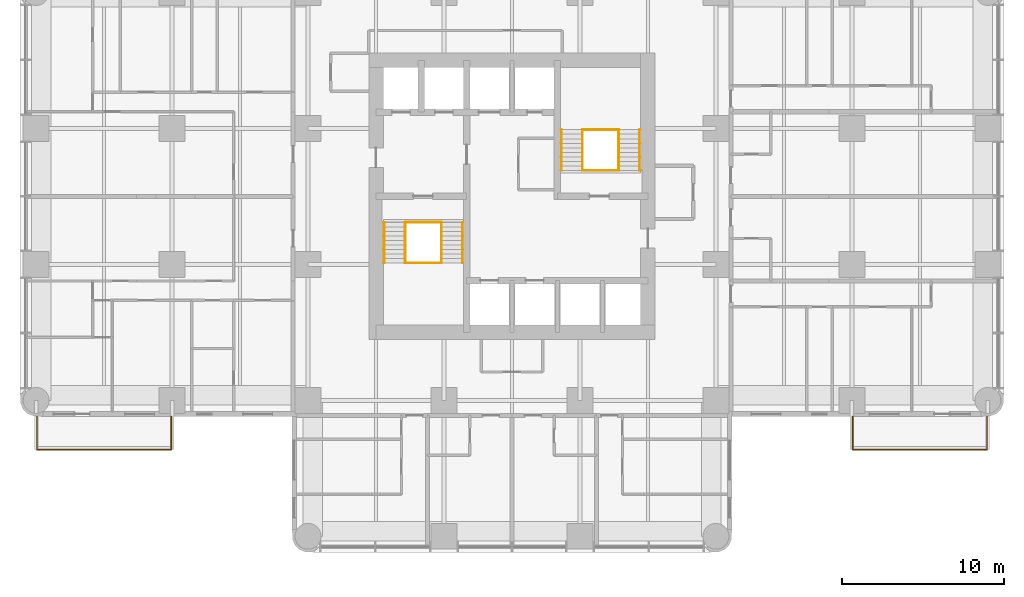
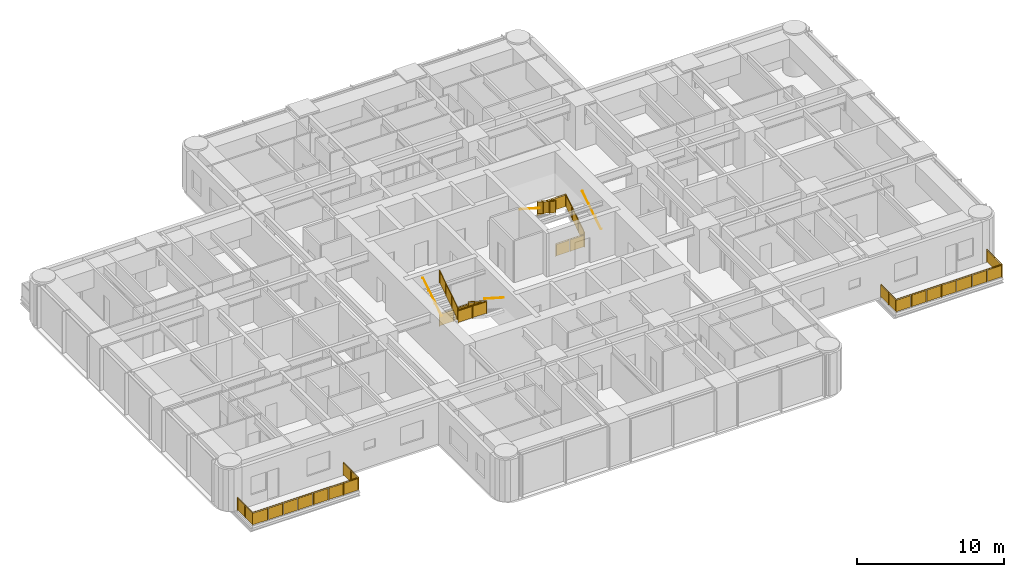
# One storey, part 13 of 14: 14 railings.
"""IFC4 building model written with IfcOpenShell, lengths in metres."""

from ifc_helpers import new_model, si_unit, direction, frame, origin, origin_2d, place, context, subcontext, project, spatial, polyline, circle, outline, extrude, material, constituent, constituent_set, type_object, element, save


model = new_model("IFC4")

# Units and contexts
model_context = context("Model", 3, precision=1e-05, world=origin(), true_north=direction((0.0, 1.0)))
body_context = subcontext(model_context, "Body", "Model", "MODEL_VIEW")
ifc_project = project(units=[si_unit("LENGTHUNIT", "METRE"), si_unit("AREAUNIT", "SQUARE_METRE"), si_unit("VOLUMEUNIT", "CUBIC_METRE"), si_unit("PLANEANGLEUNIT", "RADIAN"), si_unit("MASSUNIT", "GRAM", prefix="KILO")], contexts=[model_context])

# Site, building, storey
site_placement = place(None, origin())
site = spatial("IfcSite", under=ifc_project, at=site_placement, CompositionType="ELEMENT")
building_placement = place(site_placement, origin())
building = spatial("IfcBuilding", under=site, at=building_placement, Name="Torre Alcanfor", CompositionType="ELEMENT")
storey_placement = place(building_placement, frame((0.0, 0.0, 159.300048828125)))
storey = spatial("IfcBuildingStorey", under=building, at=storey_placement, Name="L41", CompositionType="ELEMENT", Elevation=159.300048828125)

# Railings
ifc_material_1 = material(Name="Laminated safety glass", Category="glass")
ifc_constituent_1 = constituent(ifc_material_1, Name="Infill")
ifc_material_2 = material(Name="Stainless steel ASTM A554 Grade MT 316L tube", Category="steel")
ifc_constituent_2 = constituent(ifc_material_2, Name="Posts and rail")
ifc_constituent_set = constituent_set(constituents=[ifc_constituent_1, ifc_constituent_2], Name="Balcony guard glass 1100")
railing_type_1 = type_object("IfcRailingType", Name="Balcony guard glass 1100", PredefinedType="BALUSTRADE", material=ifc_constituent_set)
railing_1_placement = place(storey_placement, frame((50.449951171875, 15.800048828125, 0.0)))
element("IfcRailing", 1, at=railing_1_placement, inside=storey, type_object=railing_type_1, Name="Balcony guard L41-E2", PredefinedType="BALUSTRADE", context=body_context, shape_type="SweptSolid", body=[
    extrude(circle(Radius=0.02392578125, at=origin_2d()), frame((0.0, 0.0, 1.076171875), z_axis=(0.0, -1.0, 0.0), x_axis=(1.0, 0.0, 0.0)), (0.0, 0.0, 1.0), 2.050048828125),
    extrude(circle(Radius=0.02392578125, at=origin_2d()), frame((0.0, -2.050048828125, 1.076171875), z_axis=(1.0, 0.0, 0.0), x_axis=(0.0, 1.0, 0.0)), (0.0, 0.0, 1.0), 8.300048828125),
    extrude(circle(Radius=0.02392578125, at=origin_2d()), frame((8.300048828125, -2.050048828125, 1.076171875), z_axis=(0.0, 1.0, 0.0), x_axis=(-1.0, 0.0, 0.0)), (0.0, 0.0, 1.0), 2.050048828125),
    extrude(circle(Radius=0.02099609375, at=origin_2d()), origin(), (0.0, 0.0, 1.0), 1.052001953125),
    extrude(circle(Radius=0.02099609375, at=origin_2d()), frame((0.0, -1.02490234375, 0.0)), (0.0, 0.0, 1.0), 1.052001953125),
    extrude(circle(Radius=0.02099609375, at=origin_2d()), frame((0.0, -2.050048828125, 0.0)), (0.0, 0.0, 1.0), 1.052001953125),
    extrude(circle(Radius=0.02099609375, at=origin_2d()), frame((1.185791015625, -2.050048828125, 0.0)), (0.0, 0.0, 1.0), 1.052001953125),
    extrude(circle(Radius=0.02099609375, at=origin_2d()), frame((2.371337890625, -2.050048828125, 0.0)), (0.0, 0.0, 1.0), 1.052001953125),
    extrude(circle(Radius=0.02099609375, at=origin_2d()), frame((3.55712890625, -2.050048828125, 0.0)), (0.0, 0.0, 1.0), 1.052001953125),
    extrude(circle(Radius=0.02099609375, at=origin_2d()), frame((4.742919921875, -2.050048828125, 0.0)), (0.0, 0.0, 1.0), 1.052001953125),
    extrude(circle(Radius=0.02099609375, at=origin_2d()), frame((5.9287109375, -2.050048828125, 0.0)), (0.0, 0.0, 1.0), 1.052001953125),
    extrude(circle(Radius=0.02099609375, at=origin_2d()), frame((7.1142578125, -2.050048828125, 0.0)), (0.0, 0.0, 1.0), 1.052001953125),
    extrude(circle(Radius=0.02099609375, at=origin_2d()), frame((8.300048828125, -2.050048828125, 0.0)), (0.0, 0.0, 1.0), 1.052001953125),
    extrude(circle(Radius=0.02099609375, at=origin_2d()), frame((8.300048828125, -1.02490234375, 0.0)), (0.0, 0.0, 1.0), 1.052001953125),
    extrude(circle(Radius=0.02099609375, at=origin_2d()), frame((8.300048828125, 0.0, 0.0)), (0.0, 0.0, 1.0), 1.052001953125),
    extrude(outline(polyline([(0.041015625, 0.050048828125), (0.984130859375, 0.050048828125), (0.984130859375, 1.001953125), (0.041015625, 1.001953125), (0.041015625, 0.050048828125)])), frame((0.005859375, 0.0, 0.0), z_axis=(-1.0, 0.0, 0.0), x_axis=(0.0, -1.0, 0.0)), (0.0, 0.0, 1.0), 0.011962890625),
    extrude(outline(polyline([(1.06591796875, 0.050048828125), (2.009033203125, 0.050048828125), (2.009033203125, 1.001953125), (1.06591796875, 1.001953125), (1.06591796875, 0.050048828125)])), frame((0.005859375, 0.0, 0.0), z_axis=(-1.0, 0.0, 0.0), x_axis=(0.0, -1.0, 0.0)), (0.0, 0.0, 1.0), 0.011962890625),
    extrude(outline(polyline([(0.041015625, 0.050048828125), (1.144775390625, 0.050048828125), (1.144775390625, 1.001953125), (0.041015625, 1.001953125), (0.041015625, 0.050048828125)])), frame((0.0, -2.0439453125, 0.0), z_axis=(0.0, -1.0, 0.0), x_axis=(1.0, 0.0, 0.0)), (0.0, 0.0, 1.0), 0.011962890625),
    extrude(outline(polyline([(1.226806640625, 0.050048828125), (2.330322265625, 0.050048828125), (2.330322265625, 1.001953125), (1.226806640625, 1.001953125), (1.226806640625, 0.050048828125)])), frame((0.0, -2.0439453125, 0.0), z_axis=(0.0, -1.0, 0.0), x_axis=(1.0, 0.0, 0.0)), (0.0, 0.0, 1.0), 0.011962890625),
    extrude(outline(polyline([(2.412353515625, 0.050048828125), (3.51611328125, 0.050048828125), (3.51611328125, 1.001953125), (2.412353515625, 1.001953125), (2.412353515625, 0.050048828125)])), frame((0.0, -2.0439453125, 0.0), z_axis=(0.0, -1.0, 0.0), x_axis=(1.0, 0.0, 0.0)), (0.0, 0.0, 1.0), 0.011962890625),
    extrude(outline(polyline([(3.59814453125, 0.050048828125), (4.701904296875, 0.050048828125), (4.701904296875, 1.001953125), (3.59814453125, 1.001953125), (3.59814453125, 0.050048828125)])), frame((0.0, -2.0439453125, 0.0), z_axis=(0.0, -1.0, 0.0), x_axis=(1.0, 0.0, 0.0)), (0.0, 0.0, 1.0), 0.011962890625),
    extrude(outline(polyline([(4.783935546875, 0.050048828125), (5.8876953125, 0.050048828125), (5.8876953125, 1.001953125), (4.783935546875, 1.001953125), (4.783935546875, 0.050048828125)])), frame((0.0, -2.0439453125, 0.0), z_axis=(0.0, -1.0, 0.0), x_axis=(1.0, 0.0, 0.0)), (0.0, 0.0, 1.0), 0.011962890625),
    extrude(outline(polyline([(5.9697265625, 0.050048828125), (7.0732421875, 0.050048828125), (7.0732421875, 1.001953125), (5.9697265625, 1.001953125), (5.9697265625, 0.050048828125)])), frame((0.0, -2.0439453125, 0.0), z_axis=(0.0, -1.0, 0.0), x_axis=(1.0, 0.0, 0.0)), (0.0, 0.0, 1.0), 0.011962890625),
    extrude(outline(polyline([(7.1552734375, 0.050048828125), (8.259033203125, 0.050048828125), (8.259033203125, 1.001953125), (7.1552734375, 1.001953125), (7.1552734375, 0.050048828125)])), frame((0.0, -2.0439453125, 0.0), z_axis=(0.0, -1.0, 0.0), x_axis=(1.0, 0.0, 0.0)), (0.0, 0.0, 1.0), 0.011962890625),
    extrude(outline(polyline([(0.041015625, 0.050048828125), (0.984130859375, 0.050048828125), (0.984130859375, 1.001953125), (0.041015625, 1.001953125), (0.041015625, 0.050048828125)])), frame((8.2939453125, -2.050048828125, 0.0), z_axis=(1.0, 0.0, 0.0), x_axis=(0.0, 1.0, 0.0)), (0.0, 0.0, 1.0), 0.011962890625),
    extrude(outline(polyline([(1.06591796875, 0.050048828125), (2.009033203125, 0.050048828125), (2.009033203125, 1.001953125), (1.06591796875, 1.001953125), (1.06591796875, 0.050048828125)])), frame((8.2939453125, -2.050048828125, 0.0), z_axis=(1.0, 0.0, 0.0), x_axis=(0.0, 1.0, 0.0)), (0.0, 0.0, 1.0), 0.011962890625),
])
railing_2_placement = place(storey_placement, frame((8.35009765625, 15.800048828125, 0.0)))
element("IfcRailing", 2, at=railing_2_placement, inside=storey, type_object=railing_type_1, Name="Balcony guard L41-W1", PredefinedType="BALUSTRADE", context=body_context, shape_type="SweptSolid", body=[
    extrude(circle(Radius=0.02392578125, at=origin_2d()), frame((0.0, 0.0, 1.076171875), z_axis=(0.0, -1.0, 0.0), x_axis=(1.0, 0.0, 0.0)), (0.0, 0.0, 1.0), 2.050048828125),
    extrude(circle(Radius=0.02392578125, at=origin_2d()), frame((0.0, -2.050048828125, 1.076171875), z_axis=(-1.0, 0.0, 0.0), x_axis=(0.0, -1.0, 0.0)), (0.0, 0.0, 1.0), 8.300048828125),
    extrude(circle(Radius=0.02392578125, at=origin_2d()), frame((-8.300048828125, -2.050048828125, 1.076171875), z_axis=(0.0, 1.0, 0.0), x_axis=(-1.0, 0.0, 0.0)), (0.0, 0.0, 1.0), 2.050048828125),
    extrude(circle(Radius=0.02099609375, at=origin_2d()), origin(), (0.0, 0.0, 1.0), 1.052001953125),
    extrude(circle(Radius=0.02099609375, at=origin_2d()), frame((0.0, -1.02490234375, 0.0)), (0.0, 0.0, 1.0), 1.052001953125),
    extrude(circle(Radius=0.02099609375, at=origin_2d()), frame((0.0, -2.050048828125, 0.0)), (0.0, 0.0, 1.0), 1.052001953125),
    extrude(circle(Radius=0.02099609375, at=origin_2d()), frame((-1.185791015625, -2.050048828125, 0.0)), (0.0, 0.0, 1.0), 1.052001953125),
    extrude(circle(Radius=0.02099609375, at=origin_2d()), frame((-2.371337890625, -2.050048828125, 0.0)), (0.0, 0.0, 1.0), 1.052001953125),
    extrude(circle(Radius=0.02099609375, at=origin_2d()), frame((-3.55712890625, -2.050048828125, 0.0)), (0.0, 0.0, 1.0), 1.052001953125),
    extrude(circle(Radius=0.02099609375, at=origin_2d()), frame((-4.742919921875, -2.050048828125, 0.0)), (0.0, 0.0, 1.0), 1.052001953125),
    extrude(circle(Radius=0.02099609375, at=origin_2d()), frame((-5.9287109375, -2.050048828125, 0.0)), (0.0, 0.0, 1.0), 1.052001953125),
    extrude(circle(Radius=0.02099609375, at=origin_2d()), frame((-7.1142578125, -2.050048828125, 0.0)), (0.0, 0.0, 1.0), 1.052001953125),
    extrude(circle(Radius=0.02099609375, at=origin_2d()), frame((-8.300048828125, -2.050048828125, 0.0)), (0.0, 0.0, 1.0), 1.052001953125),
    extrude(circle(Radius=0.02099609375, at=origin_2d()), frame((-8.300048828125, -1.02490234375, 0.0)), (0.0, 0.0, 1.0), 1.052001953125),
    extrude(circle(Radius=0.02099609375, at=origin_2d()), frame((-8.300048828125, 0.0, 0.0)), (0.0, 0.0, 1.0), 1.052001953125),
    extrude(outline(polyline([(0.041015625, 0.050048828125), (0.984130859375, 0.050048828125), (0.984130859375, 1.001953125), (0.041015625, 1.001953125), (0.041015625, 0.050048828125)])), frame((0.005859375, 0.0, 0.0), z_axis=(-1.0, 0.0, 0.0), x_axis=(0.0, -1.0, 0.0)), (0.0, 0.0, 1.0), 0.011962890625),
    extrude(outline(polyline([(1.06591796875, 0.050048828125), (2.009033203125, 0.050048828125), (2.009033203125, 1.001953125), (1.06591796875, 1.001953125), (1.06591796875, 0.050048828125)])), frame((0.005859375, 0.0, 0.0), z_axis=(-1.0, 0.0, 0.0), x_axis=(0.0, -1.0, 0.0)), (0.0, 0.0, 1.0), 0.011962890625),
    extrude(outline(polyline([(0.041015625, 0.050048828125), (1.144775390625, 0.050048828125), (1.144775390625, 1.001953125), (0.041015625, 1.001953125), (0.041015625, 0.050048828125)])), frame((0.0, -2.05615234375, 0.0), z_axis=(0.0, 1.0, 0.0), x_axis=(-1.0, 0.0, 0.0)), (0.0, 0.0, 1.0), 0.011962890625),
    extrude(outline(polyline([(1.226806640625, 0.050048828125), (2.330322265625, 0.050048828125), (2.330322265625, 1.001953125), (1.226806640625, 1.001953125), (1.226806640625, 0.050048828125)])), frame((0.0, -2.05615234375, 0.0), z_axis=(0.0, 1.0, 0.0), x_axis=(-1.0, 0.0, 0.0)), (0.0, 0.0, 1.0), 0.011962890625),
    extrude(outline(polyline([(2.412353515625, 0.050048828125), (3.51611328125, 0.050048828125), (3.51611328125, 1.001953125), (2.412353515625, 1.001953125), (2.412353515625, 0.050048828125)])), frame((0.0, -2.05615234375, 0.0), z_axis=(0.0, 1.0, 0.0), x_axis=(-1.0, 0.0, 0.0)), (0.0, 0.0, 1.0), 0.011962890625),
    extrude(outline(polyline([(3.59814453125, 0.050048828125), (4.701904296875, 0.050048828125), (4.701904296875, 1.001953125), (3.59814453125, 1.001953125), (3.59814453125, 0.050048828125)])), frame((0.0, -2.05615234375, 0.0), z_axis=(0.0, 1.0, 0.0), x_axis=(-1.0, 0.0, 0.0)), (0.0, 0.0, 1.0), 0.011962890625),
    extrude(outline(polyline([(4.783935546875, 0.050048828125), (5.8876953125, 0.050048828125), (5.8876953125, 1.001953125), (4.783935546875, 1.001953125), (4.783935546875, 0.050048828125)])), frame((0.0, -2.05615234375, 0.0), z_axis=(0.0, 1.0, 0.0), x_axis=(-1.0, 0.0, 0.0)), (0.0, 0.0, 1.0), 0.011962890625),
    extrude(outline(polyline([(5.9697265625, 0.050048828125), (7.0732421875, 0.050048828125), (7.0732421875, 1.001953125), (5.9697265625, 1.001953125), (5.9697265625, 0.050048828125)])), frame((0.0, -2.05615234375, 0.0), z_axis=(0.0, 1.0, 0.0), x_axis=(-1.0, 0.0, 0.0)), (0.0, 0.0, 1.0), 0.011962890625),
    extrude(outline(polyline([(7.1552734375, 0.050048828125), (8.259033203125, 0.050048828125), (8.259033203125, 1.001953125), (7.1552734375, 1.001953125), (7.1552734375, 0.050048828125)])), frame((0.0, -2.05615234375, 0.0), z_axis=(0.0, 1.0, 0.0), x_axis=(-1.0, 0.0, 0.0)), (0.0, 0.0, 1.0), 0.011962890625),
    extrude(outline(polyline([(0.041015625, 0.050048828125), (0.984130859375, 0.050048828125), (0.984130859375, 1.001953125), (0.041015625, 1.001953125), (0.041015625, 0.050048828125)])), frame((-8.30615234375, -2.050048828125, 0.0), z_axis=(1.0, 0.0, 0.0), x_axis=(0.0, 1.0, 0.0)), (0.0, 0.0, 1.0), 0.011962890625),
    extrude(outline(polyline([(1.06591796875, 0.050048828125), (2.009033203125, 0.050048828125), (2.009033203125, 1.001953125), (1.06591796875, 1.001953125), (1.06591796875, 0.050048828125)])), frame((-8.30615234375, -2.050048828125, 0.0), z_axis=(1.0, 0.0, 0.0), x_axis=(0.0, 1.0, 0.0)), (0.0, 0.0, 1.0), 0.011962890625),
])
ifc_material_3 = material(Name="Steel ASTM A500 Grade C hollow sections", Category="steel")
railing_type_2 = type_object("IfcRailingType", Name="Stair guard and handrail 1100", PredefinedType="GUARDRAIL", material=ifc_material_3)
railing_3_placement = place(storey_placement, frame((25.050048828125, 27.800048828125, 0.179931640625)))
element("IfcRailing", 3, at=railing_3_placement, inside=storey, type_object=railing_type_2, Name="Stair guard S1 L41 flight 1", PredefinedType="GUARDRAIL", context=body_context, shape_type="SweptSolid", body=[
    extrude(circle(Radius=0.02392578125, at=origin_2d()), frame((0.0, 0.0, 1.076171875), z_axis=(0.0, -0.841162588446, 0.540782303519), x_axis=(1.0, 0.0, 0.0)), (0.0, 0.0, 1.0), 2.995849609375),
    extrude(circle(Radius=0.02099609375, at=origin_2d()), origin(), (0.0, 0.0, 1.0), 1.052001953125),
    extrude(circle(Radius=0.02099609375, at=origin_2d()), frame((0.0, -0.840087890625, 0.5400390625)), (0.0, 0.0, 1.0), 1.052001953125),
    extrude(circle(Radius=0.02099609375, at=origin_2d()), frame((0.0, -1.679931640625, 1.080078125)), (0.0, 0.0, 1.0), 1.052001953125),
    extrude(circle(Radius=0.02099609375, at=origin_2d()), frame((0.0, -2.52001953125, 1.6201171875)), (0.0, 0.0, 1.0), 1.052001953125),
    extrude(outline(polyline([(0.041015625, 0.076416015625), (0.799072265625, 0.563720703125), (0.799072265625, 1.515625), (0.041015625, 1.0283203125), (0.041015625, 0.076416015625)])), frame((0.005859375, 0.0, 0.0), z_axis=(-1.0, 0.0, 0.0), x_axis=(0.0, -1.0, 0.0)), (0.0, 0.0, 1.0), 0.011962890625),
    extrude(outline(polyline([(0.881103515625, 0.616455078125), (1.638916015625, 1.103759765625), (1.638916015625, 2.0556640625), (0.881103515625, 1.568359375), (0.881103515625, 0.616455078125)])), frame((0.005859375, 0.0, 0.0), z_axis=(-1.0, 0.0, 0.0), x_axis=(0.0, -1.0, 0.0)), (0.0, 0.0, 1.0), 0.011962890625),
    extrude(outline(polyline([(1.720947265625, 1.156494140625), (2.47900390625, 1.643798828125), (2.47900390625, 2.595703125), (1.720947265625, 2.1083984375), (1.720947265625, 1.156494140625)])), frame((0.005859375, 0.0, 0.0), z_axis=(-1.0, 0.0, 0.0), x_axis=(0.0, -1.0, 0.0)), (0.0, 0.0, 1.0), 0.011962890625),
])
railing_4_placement = place(storey_placement, frame((22.800048828125, 25.280029296875, 1.97998046875)))
element("IfcRailing", 4, at=railing_4_placement, inside=storey, type_object=railing_type_2, Name="Stair guard S1 L41 flight 2", PredefinedType="GUARDRAIL", context=body_context, shape_type="SweptSolid", body=[
    extrude(circle(Radius=0.02392578125, at=origin_2d()), frame((0.0, 0.0, 1.076171875), z_axis=(0.0, 0.841199657755, 0.540724639528), x_axis=(-1.0, 0.0, 0.0)), (0.0, 0.0, 1.0), 2.995849609375),
    extrude(circle(Radius=0.02099609375, at=origin_2d()), origin(), (0.0, 0.0, 1.0), 1.052001953125),
    extrude(circle(Radius=0.02099609375, at=origin_2d()), frame((0.0, 0.840087890625, 0.5400390625)), (0.0, 0.0, 1.0), 1.052001953125),
    extrude(circle(Radius=0.02099609375, at=origin_2d()), frame((0.0, 1.679931640625, 1.079833984375)), (0.0, 0.0, 1.0), 1.052001953125),
    extrude(circle(Radius=0.02099609375, at=origin_2d()), frame((0.0, 2.52001953125, 1.619873046875)), (0.0, 0.0, 1.0), 1.052001953125),
    extrude(outline(polyline([(0.041015625, 0.076416015625), (0.799072265625, 0.563720703125), (0.799072265625, 1.515625), (0.041015625, 1.0283203125), (0.041015625, 0.076416015625)])), frame((-0.005859375, 0.0, 0.0), z_axis=(1.0, 0.0, 0.0), x_axis=(0.0, 1.0, 0.0)), (0.0, 0.0, 1.0), 0.011962890625),
    extrude(outline(polyline([(0.881103515625, 0.6162109375), (1.638916015625, 1.103515625), (1.638916015625, 2.0556640625), (0.881103515625, 1.568359375), (0.881103515625, 0.6162109375)])), frame((-0.005859375, 0.0, 0.0), z_axis=(1.0, 0.0, 0.0), x_axis=(0.0, 1.0, 0.0)), (0.0, 0.0, 1.0), 0.011962890625),
    extrude(outline(polyline([(1.720947265625, 1.15625), (2.47900390625, 1.6435546875), (2.47900390625, 2.595458984375), (1.720947265625, 2.108154296875), (1.720947265625, 1.15625)])), frame((-0.005859375, 0.0, 0.0), z_axis=(1.0, 0.0, 0.0), x_axis=(0.0, 1.0, 0.0)), (0.0, 0.0, 1.0), 0.011962890625),
])
for number, where, name in (
    (5, (22.800048828125, 27.800048828125, 0.0), "Stair well guard S1 L41 floor landing"),
    (6, (22.800048828125, 25.280029296875, 1.800048828125), "Stair well guard S1 L41 half landing"),
):
    element("IfcRailing", number, at=place(storey_placement, frame(where)), inside=storey, type_object=railing_type_2, Name=name, PredefinedType="GUARDRAIL", context=body_context, shape_type="SweptSolid", body=[
        extrude(circle(Radius=0.02392578125, at=origin_2d()), frame((0.0, 0.0, 1.076171875), z_axis=(1.0, 0.0, 0.0), x_axis=(0.0, 1.0, 0.0)), (0.0, 0.0, 1.0), 2.25),
        extrude(circle(Radius=0.02099609375, at=origin_2d()), origin(), (0.0, 0.0, 1.0), 1.052001953125),
        extrude(circle(Radius=0.02099609375, at=origin_2d()), frame((1.125, 0.0, 0.0)), (0.0, 0.0, 1.0), 1.052001953125),
        extrude(circle(Radius=0.02099609375, at=origin_2d()), frame((2.25, 0.0, 0.0)), (0.0, 0.0, 1.0), 1.052001953125),
        extrude(outline(polyline([(0.041015625, 0.050048828125), (1.083984375, 0.050048828125), (1.083984375, 1.001953125), (0.041015625, 1.001953125), (0.041015625, 0.050048828125)])), frame((0.0, 0.005859375, 0.0), z_axis=(0.0, -1.0, 0.0), x_axis=(1.0, 0.0, 0.0)), (0.0, 0.0, 1.0), 0.011962890625),
        extrude(outline(polyline([(1.166015625, 0.050048828125), (2.208984375, 0.050048828125), (2.208984375, 1.001953125), (1.166015625, 1.001953125), (1.166015625, 0.050048828125)])), frame((0.0, 0.005859375, 0.0), z_axis=(0.0, -1.0, 0.0), x_axis=(1.0, 0.0, 0.0)), (0.0, 0.0, 1.0), 0.011962890625),
    ])
railing_5_placement = place(storey_placement, frame((36.0, 31.0, 0.179931640625)))
element("IfcRailing", 7, at=railing_5_placement, inside=storey, type_object=railing_type_2, Name="Stair guard S2 L41 flight 1", PredefinedType="GUARDRAIL", context=body_context, shape_type="SweptSolid", body=[
    extrude(circle(Radius=0.02392578125, at=origin_2d()), frame((0.0, 0.0, 1.076171875), z_axis=(0.0, 0.841162588446, 0.540782303519), x_axis=(-1.0, 0.0, 0.0)), (0.0, 0.0, 1.0), 2.995849609375),
    extrude(circle(Radius=0.02099609375, at=origin_2d()), origin(), (0.0, 0.0, 1.0), 1.052001953125),
    extrude(circle(Radius=0.02099609375, at=origin_2d()), frame((0.0, 0.840087890625, 0.5400390625)), (0.0, 0.0, 1.0), 1.052001953125),
    extrude(circle(Radius=0.02099609375, at=origin_2d()), frame((0.0, 1.679931640625, 1.080078125)), (0.0, 0.0, 1.0), 1.052001953125),
    extrude(circle(Radius=0.02099609375, at=origin_2d()), frame((0.0, 2.52001953125, 1.6201171875)), (0.0, 0.0, 1.0), 1.052001953125),
    extrude(outline(polyline([(0.041015625, 0.076416015625), (0.799072265625, 0.563720703125), (0.799072265625, 1.515625), (0.041015625, 1.0283203125), (0.041015625, 0.076416015625)])), frame((-0.005859375, 0.0, 0.0), z_axis=(1.0, 0.0, 0.0), x_axis=(0.0, 1.0, 0.0)), (0.0, 0.0, 1.0), 0.011962890625),
    extrude(outline(polyline([(0.881103515625, 0.616455078125), (1.638916015625, 1.103759765625), (1.638916015625, 2.0556640625), (0.881103515625, 1.568359375), (0.881103515625, 0.616455078125)])), frame((-0.005859375, 0.0, 0.0), z_axis=(1.0, 0.0, 0.0), x_axis=(0.0, 1.0, 0.0)), (0.0, 0.0, 1.0), 0.011962890625),
    extrude(outline(polyline([(1.720947265625, 1.156494140625), (2.47900390625, 1.643798828125), (2.47900390625, 2.595703125), (1.720947265625, 2.1083984375), (1.720947265625, 1.156494140625)])), frame((-0.005859375, 0.0, 0.0), z_axis=(1.0, 0.0, 0.0), x_axis=(0.0, 1.0, 0.0)), (0.0, 0.0, 1.0), 0.011962890625),
])
railing_6_placement = place(storey_placement, frame((33.75, 33.52001953125, 1.97998046875)))
element("IfcRailing", 8, at=railing_6_placement, inside=storey, type_object=railing_type_2, Name="Stair guard S2 L41 flight 2", PredefinedType="GUARDRAIL", context=body_context, shape_type="SweptSolid", body=[
    extrude(circle(Radius=0.02392578125, at=origin_2d()), frame((0.0, 0.0, 1.076171875), z_axis=(0.0, -0.841199657755, 0.540724639528), x_axis=(1.0, 0.0, 0.0)), (0.0, 0.0, 1.0), 2.995849609375),
    extrude(circle(Radius=0.02099609375, at=origin_2d()), origin(), (0.0, 0.0, 1.0), 1.052001953125),
    extrude(circle(Radius=0.02099609375, at=origin_2d()), frame((0.0, -0.840087890625, 0.5400390625)), (0.0, 0.0, 1.0), 1.052001953125),
    extrude(circle(Radius=0.02099609375, at=origin_2d()), frame((0.0, -1.679931640625, 1.079833984375)), (0.0, 0.0, 1.0), 1.052001953125),
    extrude(circle(Radius=0.02099609375, at=origin_2d()), frame((0.0, -2.52001953125, 1.619873046875)), (0.0, 0.0, 1.0), 1.052001953125),
    extrude(outline(polyline([(0.041015625, 0.076416015625), (0.799072265625, 0.563720703125), (0.799072265625, 1.515625), (0.041015625, 1.0283203125), (0.041015625, 0.076416015625)])), frame((0.005859375, 0.0, 0.0), z_axis=(-1.0, 0.0, 0.0), x_axis=(0.0, -1.0, 0.0)), (0.0, 0.0, 1.0), 0.011962890625),
    extrude(outline(polyline([(0.881103515625, 0.6162109375), (1.638916015625, 1.103515625), (1.638916015625, 2.0556640625), (0.881103515625, 1.568359375), (0.881103515625, 0.6162109375)])), frame((0.005859375, 0.0, 0.0), z_axis=(-1.0, 0.0, 0.0), x_axis=(0.0, -1.0, 0.0)), (0.0, 0.0, 1.0), 0.011962890625),
    extrude(outline(polyline([(1.720947265625, 1.15625), (2.47900390625, 1.6435546875), (2.47900390625, 2.595458984375), (1.720947265625, 2.108154296875), (1.720947265625, 1.15625)])), frame((0.005859375, 0.0, 0.0), z_axis=(-1.0, 0.0, 0.0), x_axis=(0.0, -1.0, 0.0)), (0.0, 0.0, 1.0), 0.011962890625),
])
for number, where, name in (
    (9, (33.75, 31.0, 0.0), "Stair well guard S2 L41 floor landing"),
    (10, (33.75, 33.52001953125, 1.800048828125), "Stair well guard S2 L41 half landing"),
):
    element("IfcRailing", number, at=place(storey_placement, frame(where)), inside=storey, type_object=railing_type_2, Name=name, PredefinedType="GUARDRAIL", context=body_context, shape_type="SweptSolid", body=[
        extrude(circle(Radius=0.02392578125, at=origin_2d()), frame((0.0, 0.0, 1.076171875), z_axis=(1.0, 0.0, 0.0), x_axis=(0.0, 1.0, 0.0)), (0.0, 0.0, 1.0), 2.25),
        extrude(circle(Radius=0.02099609375, at=origin_2d()), origin(), (0.0, 0.0, 1.0), 1.052001953125),
        extrude(circle(Radius=0.02099609375, at=origin_2d()), frame((1.125, 0.0, 0.0)), (0.0, 0.0, 1.0), 1.052001953125),
        extrude(circle(Radius=0.02099609375, at=origin_2d()), frame((2.25, 0.0, 0.0)), (0.0, 0.0, 1.0), 1.052001953125),
        extrude(outline(polyline([(0.041015625, 0.050048828125), (1.083984375, 0.050048828125), (1.083984375, 1.001953125), (0.041015625, 1.001953125), (0.041015625, 0.050048828125)])), frame((0.0, 0.005859375, 0.0), z_axis=(0.0, -1.0, 0.0), x_axis=(1.0, 0.0, 0.0)), (0.0, 0.0, 1.0), 0.011962890625),
        extrude(outline(polyline([(1.166015625, 0.050048828125), (2.208984375, 0.050048828125), (2.208984375, 1.001953125), (1.166015625, 1.001953125), (1.166015625, 0.050048828125)])), frame((0.0, 0.005859375, 0.0), z_axis=(0.0, -1.0, 0.0), x_axis=(1.0, 0.0, 0.0)), (0.0, 0.0, 1.0), 0.011962890625),
    ])
ifc_material_4 = material(Name="Steel ASTM A500 Grade C hollow sections", Category="steel")
railing_type_3 = type_object("IfcRailingType", Name="Stair wall handrail 900", PredefinedType="HANDRAIL", material=ifc_material_4)
railing_7_placement = place(storey_placement, frame((26.3349609375, 27.800048828125, 0.179931640625)))
element("IfcRailing", 11, at=railing_7_placement, inside=storey, type_object=railing_type_3, Name="Stair handrail S1 L41 flight 1", PredefinedType="HANDRAIL", context=body_context, shape_type="SweptSolid", body=[
    extrude(circle(Radius=0.02392578125, at=origin_2d()), frame((0.0, 0.0, 0.8759765625), z_axis=(0.0, -0.841162588446, 0.540782303519), x_axis=(1.0, 0.0, 0.0)), (0.0, 0.0, 1.0), 2.995849609375),
    extrude(circle(Radius=0.008056640625, at=origin_2d()), frame((0.0, 0.0, 0.8759765625), z_axis=(1.0, 0.0, 0.0), x_axis=(0.0, 0.0, 1.0)), (0.0, 0.0, 1.0), 0.06494140625),
    extrude(circle(Radius=0.008056640625, at=origin_2d()), frame((0.0, -0.840087890625, 1.416015625), z_axis=(1.0, 0.0, 0.0), x_axis=(0.0, 0.0, 1.0)), (0.0, 0.0, 1.0), 0.06494140625),
    extrude(circle(Radius=0.008056640625, at=origin_2d()), frame((0.0, -1.679931640625, 1.9560546875), z_axis=(1.0, 0.0, 0.0), x_axis=(0.0, 0.0, 1.0)), (0.0, 0.0, 1.0), 0.06494140625),
    extrude(circle(Radius=0.008056640625, at=origin_2d()), frame((0.0, -2.52001953125, 2.49609375), z_axis=(1.0, 0.0, 0.0), x_axis=(0.0, 0.0, 1.0)), (0.0, 0.0, 1.0), 0.06494140625),
])
railing_8_placement = place(storey_placement, frame((21.514892578125, 25.280029296875, 1.97998046875)))
element("IfcRailing", 12, at=railing_8_placement, inside=storey, type_object=railing_type_3, Name="Stair handrail S1 L41 flight 2", PredefinedType="HANDRAIL", context=body_context, shape_type="SweptSolid", body=[
    extrude(circle(Radius=0.02392578125, at=origin_2d()), frame((0.0, 0.0, 0.8759765625), z_axis=(0.0, 0.841199657755, 0.540724639528), x_axis=(-1.0, 0.0, 0.0)), (0.0, 0.0, 1.0), 2.995849609375),
    extrude(circle(Radius=0.008056640625, at=origin_2d()), frame((0.0, 0.0, 0.8759765625), z_axis=(-1.0, 0.0, 0.0), x_axis=(0.0, 0.0, 1.0)), (0.0, 0.0, 1.0), 0.06494140625),
    extrude(circle(Radius=0.008056640625, at=origin_2d()), frame((0.0, 0.840087890625, 1.415771484375), z_axis=(-1.0, 0.0, 0.0), x_axis=(0.0, 0.0, 1.0)), (0.0, 0.0, 1.0), 0.06494140625),
    extrude(circle(Radius=0.008056640625, at=origin_2d()), frame((0.0, 1.679931640625, 1.955810546875), z_axis=(-1.0, 0.0, 0.0), x_axis=(0.0, 0.0, 1.0)), (0.0, 0.0, 1.0), 0.06494140625),
    extrude(circle(Radius=0.008056640625, at=origin_2d()), frame((0.0, 2.52001953125, 2.49560546875), z_axis=(-1.0, 0.0, 0.0), x_axis=(0.0, 0.0, 1.0)), (0.0, 0.0, 1.0), 0.06494140625),
])
railing_9_placement = place(storey_placement, frame((37.284912109375, 31.0, 0.179931640625)))
element("IfcRailing", 13, at=railing_9_placement, inside=storey, type_object=railing_type_3, Name="Stair handrail S2 L41 flight 1", PredefinedType="HANDRAIL", context=body_context, shape_type="SweptSolid", body=[
    extrude(circle(Radius=0.02392578125, at=origin_2d()), frame((0.0, 0.0, 0.8759765625), z_axis=(0.0, 0.841162588446, 0.540782303519), x_axis=(-1.0, 0.0, 0.0)), (0.0, 0.0, 1.0), 2.995849609375),
    extrude(circle(Radius=0.008056640625, at=origin_2d()), frame((0.0, 0.0, 0.8759765625), z_axis=(1.0, 0.0, 0.0), x_axis=(0.0, 0.0, 1.0)), (0.0, 0.0, 1.0), 0.06494140625),
    extrude(circle(Radius=0.008056640625, at=origin_2d()), frame((0.0, 0.840087890625, 1.416015625), z_axis=(1.0, 0.0, 0.0), x_axis=(0.0, 0.0, 1.0)), (0.0, 0.0, 1.0), 0.06494140625),
    extrude(circle(Radius=0.008056640625, at=origin_2d()), frame((0.0, 1.679931640625, 1.9560546875), z_axis=(1.0, 0.0, 0.0), x_axis=(0.0, 0.0, 1.0)), (0.0, 0.0, 1.0), 0.06494140625),
    extrude(circle(Radius=0.008056640625, at=origin_2d()), frame((0.0, 2.52001953125, 2.49609375), z_axis=(1.0, 0.0, 0.0), x_axis=(0.0, 0.0, 1.0)), (0.0, 0.0, 1.0), 0.06494140625),
])
railing_10_placement = place(storey_placement, frame((32.465087890625, 33.52001953125, 1.97998046875)))
element("IfcRailing", 14, at=railing_10_placement, inside=storey, type_object=railing_type_3, Name="Stair handrail S2 L41 flight 2", PredefinedType="HANDRAIL", context=body_context, shape_type="SweptSolid", body=[
    extrude(circle(Radius=0.02392578125, at=origin_2d()), frame((0.0, 0.0, 0.8759765625), z_axis=(0.0, -0.841199657755, 0.540724639528), x_axis=(1.0, 0.0, 0.0)), (0.0, 0.0, 1.0), 2.995849609375),
    extrude(circle(Radius=0.008056640625, at=origin_2d()), frame((0.0, 0.0, 0.8759765625), z_axis=(-1.0, 0.0, 0.0), x_axis=(0.0, 0.0, 1.0)), (0.0, 0.0, 1.0), 0.06494140625),
    extrude(circle(Radius=0.008056640625, at=origin_2d()), frame((0.0, -0.840087890625, 1.415771484375), z_axis=(-1.0, 0.0, 0.0), x_axis=(0.0, 0.0, 1.0)), (0.0, 0.0, 1.0), 0.06494140625),
    extrude(circle(Radius=0.008056640625, at=origin_2d()), frame((0.0, -1.679931640625, 1.955810546875), z_axis=(-1.0, 0.0, 0.0), x_axis=(0.0, 0.0, 1.0)), (0.0, 0.0, 1.0), 0.06494140625),
    extrude(circle(Radius=0.008056640625, at=origin_2d()), frame((0.0, -2.52001953125, 2.49560546875), z_axis=(-1.0, 0.0, 0.0), x_axis=(0.0, 0.0, 1.0)), (0.0, 0.0, 1.0), 0.06494140625),
])

save(model, "model.ifc")
